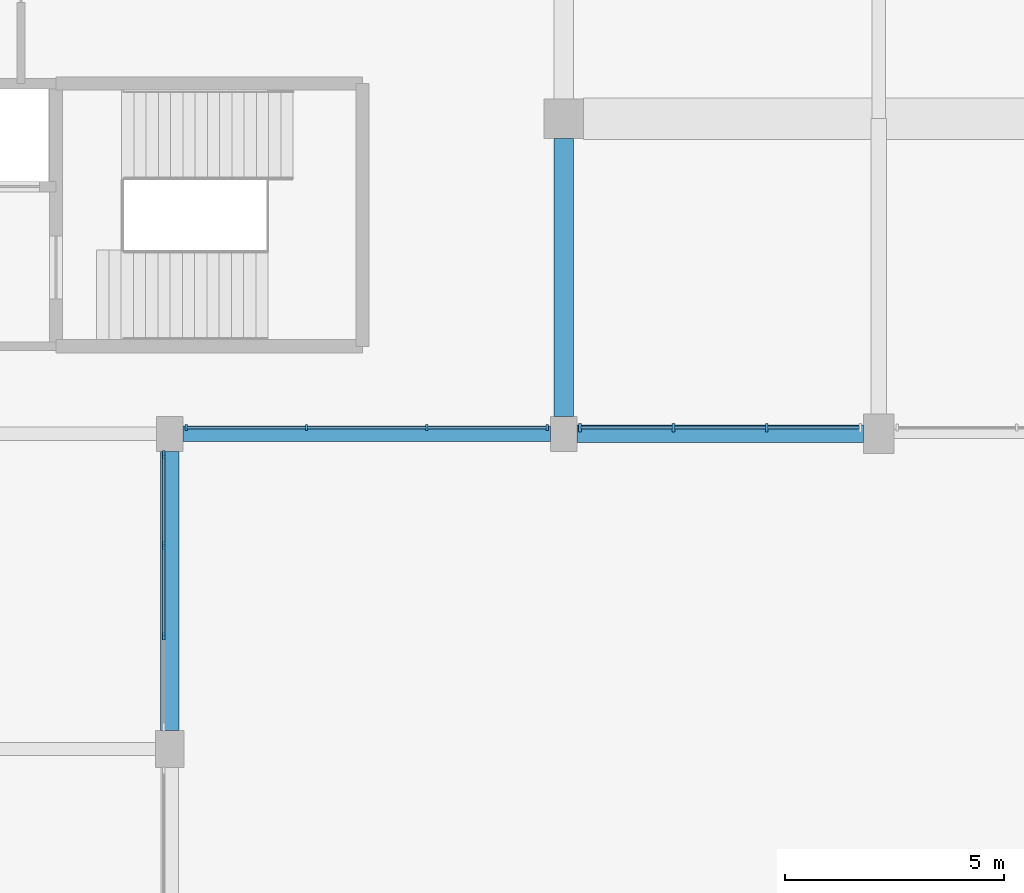
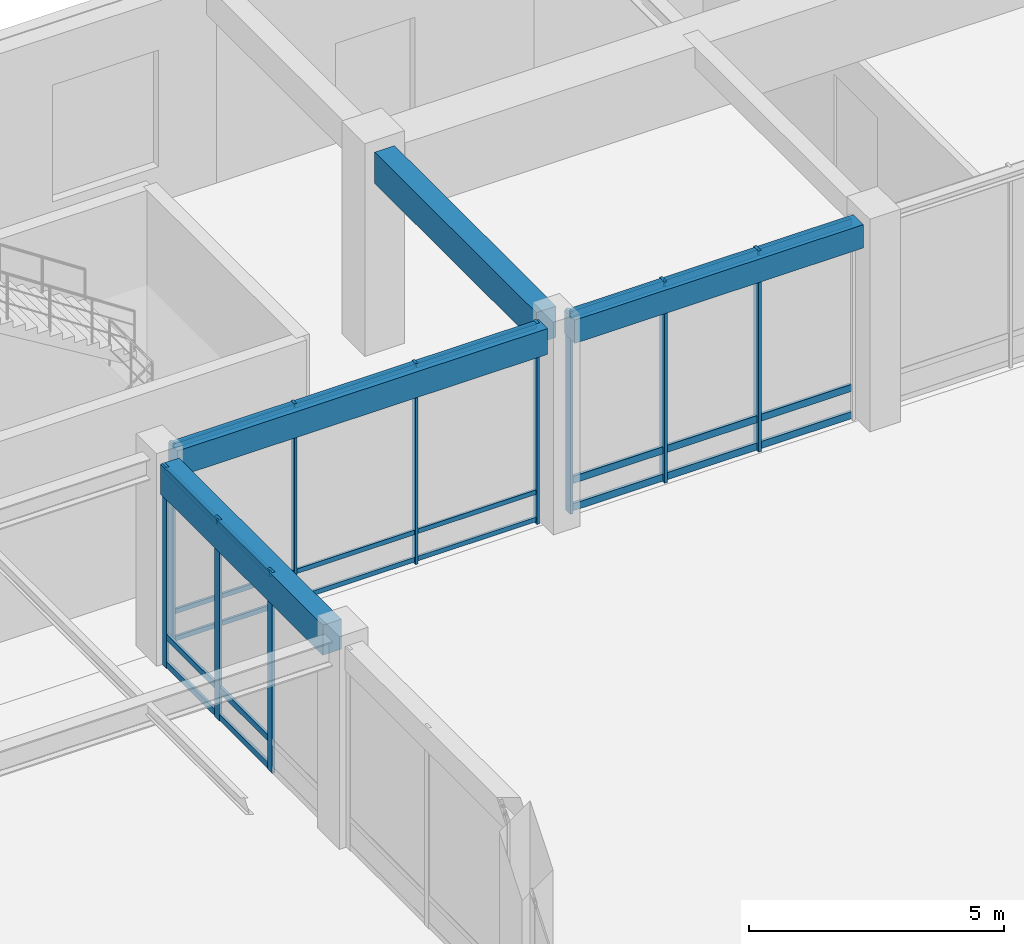
# One storey, part 25 of 64: 34 members, 4 beams, 3 elements without a shape of their own.
"""IFC4 building model written with IfcOpenShell, lengths in metres."""

from ifc_helpers import new_model, si_unit, direction, frame, origin, origin_2d, place, context, subcontext, project, spatial, rectangle, extrude, material, material_profile, profile_set, type_object, element, aggregate, save


model = new_model("IFC4")

# Units and contexts
model_context = context("Model", 3, precision=1e-05, world=origin(), true_north=direction((0.0, 1.0)))
body_context = subcontext(model_context, "Body", "Model", "MODEL_VIEW")
ifc_project = project(units=[si_unit("LENGTHUNIT", "METRE"), si_unit("AREAUNIT", "SQUARE_METRE"), si_unit("VOLUMEUNIT", "CUBIC_METRE"), si_unit("PLANEANGLEUNIT", "RADIAN"), si_unit("MASSUNIT", "GRAM", prefix="KILO")], contexts=[model_context])

# Site, building, storey
site_placement = place(None, origin())
site = spatial("IfcSite", under=ifc_project, at=site_placement, CompositionType="ELEMENT")
building_placement = place(site_placement, origin())
building = spatial("IfcBuilding", under=site, at=building_placement, Name="Clarverna Civic Hall", CompositionType="ELEMENT")
storey_placement = place(building_placement, origin())
storey = spatial("IfcBuildingStorey", under=building, at=storey_placement, Name="L00", CompositionType="ELEMENT", Elevation=0.0)

# Beams
ifc_material_1 = material(Name="Concrete C35/45", Category="concrete")
ifc_material_profile_1 = material_profile(ifc_material_1, rectangle(XDim=0.449951171875, YDim=0.75, at=origin_2d()), Name="RC 450x750")
ifc_profile_set_1 = profile_set([ifc_material_profile_1], Name="Concrete C35/45")
beam_type_1 = type_object("IfcBeamType", Name="B-RC3", PredefinedType="BEAM", material=ifc_profile_set_1)
beam_1_placement = place(storey_placement, frame((25.199951171875, 102.60009765625, 4.445068359375), z_axis=(0.0, 1.0, 0.0), x_axis=(-1.0, 0.0, 0.0)))
element("IfcBeam", 1, at=beam_1_placement, inside=storey, type_object=beam_type_1, Name="B-RC3-018", PredefinedType="BEAM", context=body_context, shape_type="SweptSolid", body=[
    extrude(rectangle(XDim=0.449951171875, YDim=0.75, at=origin_2d()), origin(), (0.0, 0.0, 1.0), 6.349853515625),
])
ifc_material_profile_2 = material_profile(ifc_material_1, rectangle(XDim=0.419921875, YDim=0.719970703125, at=origin_2d()), Name="RC 420x720")
ifc_profile_set_2 = profile_set([ifc_material_profile_2], Name="Concrete C35/45")
beam_type_2 = type_object("IfcBeamType", Name="B-SP1", PredefinedType="SPANDREL", material=ifc_profile_set_2)
beam_2_placement = place(storey_placement, frame((16.199951171875, 95.425048828125, 4.4599609375), z_axis=(0.0, 1.0, 0.0), x_axis=(-1.0, 0.0, 0.0)))
element("IfcBeam", 2, at=beam_2_placement, inside=storey, type_object=beam_type_2, Name="B-SP1-047", PredefinedType="SPANDREL", context=body_context, shape_type="SweptSolid", body=[
    extrude(rectangle(XDim=0.419921875, YDim=0.719970703125, at=origin_2d()), origin(), (0.0, 0.0, 1.0), 6.375),
])
ifc_material_profile_3 = material_profile(ifc_material_1, rectangle(XDim=0.360107421875, YDim=0.6201171875, at=origin_2d()), Name="RC 360x620")
ifc_profile_set_3 = profile_set([ifc_material_profile_3], Name="Concrete C35/45")
beam_type_3 = type_object("IfcBeamType", Name="B-SP3", PredefinedType="SPANDREL", material=ifc_profile_set_3)
beam_3_placement = place(storey_placement, frame((16.5, 102.199951171875, 4.510009765625), z_axis=(1.0, 0.0, 0.0), x_axis=(0.0, 1.0, 0.0)))
element("IfcBeam", 3, at=beam_3_placement, inside=storey, type_object=beam_type_3, Name="B-SP3-039", PredefinedType="SPANDREL", context=body_context, shape_type="SweptSolid", body=[
    extrude(rectangle(XDim=0.360107421875, YDim=0.6201171875, at=origin_2d()), origin(), (0.0, 0.0, 1.0), 8.39990234375),
])
ifc_material_profile_4 = material_profile(ifc_material_1, rectangle(XDim=0.39990234375, YDim=0.56005859375, at=origin_2d()), Name="RC 400x560")
ifc_profile_set_4 = profile_set([ifc_material_profile_4], Name="Concrete C35/45")
beam_type_4 = type_object("IfcBeamType", Name="B-SP4", PredefinedType="SPANDREL", material=ifc_profile_set_4)
beam_4_placement = place(storey_placement, frame((25.5, 102.199951171875, 4.5400390625), z_axis=(1.0, 0.0, 0.0), x_axis=(0.0, 1.0, 0.0)))
element("IfcBeam", 4, at=beam_4_placement, inside=storey, type_object=beam_type_4, Name="B-SP4-037", PredefinedType="SPANDREL", context=body_context, shape_type="SweptSolid", body=[
    extrude(rectangle(XDim=0.39990234375, YDim=0.56005859375, at=origin_2d()), origin(), (0.0, 0.0, 1.0), 6.550048828125),
])

# Curtain wall, members
ifc_material_2 = material(Name="Anodised Bronze Architectural Aluminium", Category="aluminium")
curtain_wall_type = type_object("IfcCurtainWallType", Name="CW-04", PredefinedType="USERDEFINED", material=ifc_material_2)
curtain_wall_1_placement = place(storey_placement, origin())
curtain_wall_1 = element("IfcCurtainWall", 5, at=curtain_wall_1_placement, inside=storey, type_object=curtain_wall_type, Name="CW-04-006", ObjectType="UNITISED CURTAIN WALL", PredefinedType="USERDEFINED")
ifc_material_profile_5 = material_profile(ifc_material_2, rectangle(XDim=0.06005859375, YDim=0.179931640625, at=origin_2d()), Name="BRONZE 60x180")
ifc_profile_set_5 = profile_set([ifc_material_profile_5], Name="Anodised Bronze Architectural Aluminium")
member_type_1 = type_object("IfcMemberType", Name="CWM-01", PredefinedType="MULLION", material=ifc_profile_set_5)
member_1_placement = place(storey_placement, frame((16.06005859375, 101.72705078125, 0.0), z_axis=(0.0, 0.0, 1.0), x_axis=(1.0, 0.0, 0.0)))
member_1 = element("IfcMember", 6, at=member_1_placement, type_object=member_type_1, Name="CWM-01-026", PredefinedType="MULLION", context=body_context, shape_type="SweptSolid", body=[
    extrude(rectangle(XDim=0.06005859375, YDim=0.179931640625, at=origin_2d()), origin(), (0.0, 0.0, 1.0), 4.820068359375),
])
member_2_placement = place(storey_placement, frame((16.06005859375, 99.650634765625, 0.0), z_axis=(0.0, 0.0, 1.0), x_axis=(1.0, 0.0, 0.0)))
member_2 = element("IfcMember", 7, at=member_2_placement, type_object=member_type_1, Name="CWM-01-027", PredefinedType="MULLION", context=body_context, shape_type="SweptSolid", body=[
    extrude(rectangle(XDim=0.06005859375, YDim=0.179931640625, at=origin_2d()), origin(), (0.0, 0.0, 1.0), 4.820068359375),
])
member_3_placement = place(storey_placement, frame((16.06005859375, 97.57421875, 0.0), z_axis=(0.0, 0.0, 1.0), x_axis=(1.0, 0.0, 0.0)))
member_3 = element("IfcMember", 8, at=member_3_placement, type_object=member_type_1, Name="CWM-01-028", PredefinedType="MULLION", context=body_context, shape_type="SweptSolid", body=[
    extrude(rectangle(XDim=0.06005859375, YDim=0.179931640625, at=origin_2d()), origin(), (0.0, 0.0, 1.0), 4.820068359375),
])

curtain_wall_2_placement = place(storey_placement, origin())
curtain_wall_2 = element("IfcCurtainWall", 9, at=curtain_wall_2_placement, inside=storey, type_object=curtain_wall_type, Name="CW-04-004", ObjectType="UNITISED CURTAIN WALL", PredefinedType="USERDEFINED")
ifc_material_profile_6 = material_profile(ifc_material_2, rectangle(XDim=0.06494140625, YDim=0.199951171875, at=origin_2d()), Name="BRONZE 65x200")
ifc_profile_set_6 = profile_set([ifc_material_profile_6], Name="Anodised Bronze Architectural Aluminium")
member_type_2 = type_object("IfcMemberType", Name="CWM-03", PredefinedType="MULLION", material=ifc_profile_set_6)
member_4_placement = place(storey_placement, frame((29.84228515625, 102.340087890625, 0.0), z_axis=(0.0, 0.0, 1.0), x_axis=(1.0, 0.0, 0.0)))
member_4 = element("IfcMember", 10, at=member_4_placement, type_object=member_type_2, Name="CWM-03-023", PredefinedType="MULLION", context=body_context, shape_type="SweptSolid", body=[
    extrude(rectangle(XDim=0.06494140625, YDim=0.199951171875, at=origin_2d()), origin(), (0.0, 0.0, 1.0), 4.820068359375),
])
member_5_placement = place(storey_placement, frame((27.707763671875, 102.340087890625, 0.0), z_axis=(0.0, 0.0, 1.0), x_axis=(1.0, 0.0, 0.0)))
member_5 = element("IfcMember", 11, at=member_5_placement, type_object=member_type_2, Name="CWM-03-024", PredefinedType="MULLION", context=body_context, shape_type="SweptSolid", body=[
    extrude(rectangle(XDim=0.06494140625, YDim=0.199951171875, at=origin_2d()), origin(), (0.0, 0.0, 1.0), 4.820068359375),
])
member_6_placement = place(storey_placement, frame((25.572998046875, 102.340087890625, 0.0), z_axis=(0.0, 0.0, 1.0), x_axis=(1.0, 0.0, 0.0)))
member_6 = element("IfcMember", 12, at=member_6_placement, type_object=member_type_2, Name="CWM-03-025", PredefinedType="MULLION", context=body_context, shape_type="SweptSolid", body=[
    extrude(rectangle(XDim=0.06494140625, YDim=0.199951171875, at=origin_2d()), origin(), (0.0, 0.0, 1.0), 4.820068359375),
])

curtain_wall_3_placement = place(storey_placement, origin())
curtain_wall_3 = element("IfcCurtainWall", 13, at=curtain_wall_3_placement, inside=storey, type_object=curtain_wall_type, Name="CW-04-005", ObjectType="UNITISED CURTAIN WALL", PredefinedType="USERDEFINED")
ifc_material_profile_7 = material_profile(ifc_material_2, rectangle(XDim=0.054931640625, YDim=0.139892578125, at=origin_2d()), Name="BRONZE 55x140")
ifc_profile_set_7 = profile_set([ifc_material_profile_7], Name="Anodised Bronze Architectural Aluminium")
member_type_3 = type_object("IfcMemberType", Name="CWM-04", PredefinedType="MULLION", material=ifc_profile_set_7)
member_7_placement = place(storey_placement, frame((24.826904296875, 102.340087890625, 0.0), z_axis=(0.0, 0.0, 1.0), x_axis=(1.0, 0.0, 0.0)))
member_7 = element("IfcMember", 14, at=member_7_placement, type_object=member_type_3, Name="CWM-04-023", PredefinedType="MULLION", context=body_context, shape_type="SweptSolid", body=[
    extrude(rectangle(XDim=0.054931640625, YDim=0.139892578125, at=origin_2d()), origin(), (0.0, 0.0, 1.0), 4.820068359375),
])
member_8_placement = place(storey_placement, frame((22.07568359375, 102.340087890625, 0.0), z_axis=(0.0, 0.0, 1.0), x_axis=(1.0, 0.0, 0.0)))
member_8 = element("IfcMember", 15, at=member_8_placement, type_object=member_type_3, Name="CWM-04-024", PredefinedType="MULLION", context=body_context, shape_type="SweptSolid", body=[
    extrude(rectangle(XDim=0.054931640625, YDim=0.139892578125, at=origin_2d()), origin(), (0.0, 0.0, 1.0), 4.820068359375),
])
member_9_placement = place(storey_placement, frame((19.32421875, 102.340087890625, 0.0), z_axis=(0.0, 0.0, 1.0), x_axis=(1.0, 0.0, 0.0)))
member_9 = element("IfcMember", 16, at=member_9_placement, type_object=member_type_3, Name="CWM-04-025", PredefinedType="MULLION", context=body_context, shape_type="SweptSolid", body=[
    extrude(rectangle(XDim=0.054931640625, YDim=0.139892578125, at=origin_2d()), origin(), (0.0, 0.0, 1.0), 4.820068359375),
])
member_10_placement = place(storey_placement, frame((16.572998046875, 102.340087890625, 0.0), z_axis=(0.0, 0.0, 1.0), x_axis=(1.0, 0.0, 0.0)))
member_10 = element("IfcMember", 17, at=member_10_placement, type_object=member_type_3, Name="CWM-04-026", PredefinedType="MULLION", context=body_context, shape_type="SweptSolid", body=[
    extrude(rectangle(XDim=0.054931640625, YDim=0.139892578125, at=origin_2d()), origin(), (0.0, 0.0, 1.0), 4.820068359375),
])

# Member
ifc_material_profile_8 = material_profile(ifc_material_2, rectangle(XDim=0.06005859375, YDim=0.14990234375, at=origin_2d()), Name="BRONZE 60x150")
ifc_profile_set_8 = profile_set([ifc_material_profile_8], Name="Anodised Bronze Architectural Aluminium")
member_type_4 = type_object("IfcMemberType", Name="CWT-01", PredefinedType="USERDEFINED", material=ifc_profile_set_8)
member_11_placement = place(storey_placement, frame((16.06005859375, 101.7119140625, 0.094970703125), z_axis=(0.0, -1.0, 0.0), x_axis=(1.0, 0.0, 0.0)))
member_11 = element("IfcMember", 18, at=member_11_placement, type_object=member_type_4, Name="CWT-01-052", ObjectType="TRANSOM", PredefinedType="USERDEFINED", context=body_context, shape_type="SweptSolid", body=[
    extrude(rectangle(XDim=0.06005859375, YDim=0.14990234375, at=origin_2d()), origin(), (0.0, 0.0, 1.0), 2.046142578125),
])

member_12_placement = place(storey_placement, frame((16.06005859375, 101.7119140625, 0.75), z_axis=(0.0, -1.0, 0.0), x_axis=(1.0, 0.0, 0.0)))
member_12 = element("IfcMember", 19, at=member_12_placement, type_object=member_type_4, Name="CWT-01-053", ObjectType="TRANSOM", PredefinedType="USERDEFINED", context=body_context, shape_type="SweptSolid", body=[
    extrude(rectangle(XDim=0.06005859375, YDim=0.14990234375, at=origin_2d()), origin(), (0.0, 0.0, 1.0), 2.046142578125),
])

member_13_placement = place(storey_placement, frame((16.06005859375, 101.7119140625, 4.72509765625), z_axis=(0.0, -1.0, 0.0), x_axis=(1.0, 0.0, 0.0)))
member_13 = element("IfcMember", 20, at=member_13_placement, type_object=member_type_4, Name="CWT-01-054", ObjectType="TRANSOM", PredefinedType="USERDEFINED", context=body_context, shape_type="SweptSolid", body=[
    extrude(rectangle(XDim=0.06005859375, YDim=0.14990234375, at=origin_2d()), origin(), (0.0, 0.0, 1.0), 2.046142578125),
])

member_14_placement = place(storey_placement, frame((16.06005859375, 99.6357421875, 0.094970703125), z_axis=(0.0, -1.0, 0.0), x_axis=(1.0, 0.0, 0.0)))
member_14 = element("IfcMember", 21, at=member_14_placement, type_object=member_type_4, Name="CWT-01-055", ObjectType="TRANSOM", PredefinedType="USERDEFINED", context=body_context, shape_type="SweptSolid", body=[
    extrude(rectangle(XDim=0.06005859375, YDim=0.14990234375, at=origin_2d()), origin(), (0.0, 0.0, 1.0), 2.04638671875),
])

member_15_placement = place(storey_placement, frame((16.06005859375, 99.6357421875, 0.75), z_axis=(0.0, -1.0, 0.0), x_axis=(1.0, 0.0, 0.0)))
member_15 = element("IfcMember", 22, at=member_15_placement, type_object=member_type_4, Name="CWT-01-056", ObjectType="TRANSOM", PredefinedType="USERDEFINED", context=body_context, shape_type="SweptSolid", body=[
    extrude(rectangle(XDim=0.06005859375, YDim=0.14990234375, at=origin_2d()), origin(), (0.0, 0.0, 1.0), 2.04638671875),
])

member_16_placement = place(storey_placement, frame((16.06005859375, 99.6357421875, 4.72509765625), z_axis=(0.0, -1.0, 0.0), x_axis=(1.0, 0.0, 0.0)))
member_16 = element("IfcMember", 23, at=member_16_placement, type_object=member_type_4, Name="CWT-01-057", ObjectType="TRANSOM", PredefinedType="USERDEFINED", context=body_context, shape_type="SweptSolid", body=[
    extrude(rectangle(XDim=0.06005859375, YDim=0.14990234375, at=origin_2d()), origin(), (0.0, 0.0, 1.0), 2.04638671875),
])

aggregate(curtain_wall_1, [member_1, member_2, member_3, member_11, member_12, member_13, member_14, member_15, member_16])

ifc_material_profile_9 = material_profile(ifc_material_2, rectangle(XDim=0.06494140625, YDim=0.169921875, at=origin_2d()), Name="BRONZE 65x170")
ifc_profile_set_9 = profile_set([ifc_material_profile_9], Name="Anodised Bronze Architectural Aluminium")
member_type_5 = type_object("IfcMemberType", Name="CWT-03", PredefinedType="USERDEFINED", material=ifc_profile_set_9)
member_17_placement = place(storey_placement, frame((31.9619140625, 102.340087890625, 0.094970703125), z_axis=(-1.0, 0.0, 0.0), x_axis=(0.0, -1.0, 0.0)))
member_17 = element("IfcMember", 24, at=member_17_placement, type_object=member_type_5, Name="CWT-03-043", ObjectType="TRANSOM", PredefinedType="USERDEFINED", context=body_context, shape_type="SweptSolid", body=[
    extrude(rectangle(XDim=0.06494140625, YDim=0.169921875, at=origin_2d()), origin(), (0.0, 0.0, 1.0), 2.1044921875),
])

member_18_placement = place(storey_placement, frame((31.9619140625, 102.340087890625, 0.75), z_axis=(-1.0, 0.0, 0.0), x_axis=(0.0, -1.0, 0.0)))
member_18 = element("IfcMember", 25, at=member_18_placement, type_object=member_type_5, Name="CWT-03-044", ObjectType="TRANSOM", PredefinedType="USERDEFINED", context=body_context, shape_type="SweptSolid", body=[
    extrude(rectangle(XDim=0.06494140625, YDim=0.169921875, at=origin_2d()), origin(), (0.0, 0.0, 1.0), 2.1044921875),
])

member_19_placement = place(storey_placement, frame((31.9619140625, 102.340087890625, 4.72509765625), z_axis=(-1.0, 0.0, 0.0), x_axis=(0.0, -1.0, 0.0)))
member_19 = element("IfcMember", 26, at=member_19_placement, type_object=member_type_5, Name="CWT-03-045", ObjectType="TRANSOM", PredefinedType="USERDEFINED", context=body_context, shape_type="SweptSolid", body=[
    extrude(rectangle(XDim=0.06494140625, YDim=0.169921875, at=origin_2d()), origin(), (0.0, 0.0, 1.0), 2.1044921875),
])

member_20_placement = place(storey_placement, frame((29.827392578125, 102.340087890625, 0.094970703125), z_axis=(-1.0, 0.0, 0.0), x_axis=(0.0, -1.0, 0.0)))
member_20 = element("IfcMember", 27, at=member_20_placement, type_object=member_type_5, Name="CWT-03-046", ObjectType="TRANSOM", PredefinedType="USERDEFINED", context=body_context, shape_type="SweptSolid", body=[
    extrude(rectangle(XDim=0.06494140625, YDim=0.169921875, at=origin_2d()), origin(), (0.0, 0.0, 1.0), 2.104736328125),
])

member_21_placement = place(storey_placement, frame((29.827392578125, 102.340087890625, 0.75), z_axis=(-1.0, 0.0, 0.0), x_axis=(0.0, -1.0, 0.0)))
member_21 = element("IfcMember", 28, at=member_21_placement, type_object=member_type_5, Name="CWT-03-047", ObjectType="TRANSOM", PredefinedType="USERDEFINED", context=body_context, shape_type="SweptSolid", body=[
    extrude(rectangle(XDim=0.06494140625, YDim=0.169921875, at=origin_2d()), origin(), (0.0, 0.0, 1.0), 2.104736328125),
])

member_22_placement = place(storey_placement, frame((29.827392578125, 102.340087890625, 4.72509765625), z_axis=(-1.0, 0.0, 0.0), x_axis=(0.0, -1.0, 0.0)))
member_22 = element("IfcMember", 29, at=member_22_placement, type_object=member_type_5, Name="CWT-03-048", ObjectType="TRANSOM", PredefinedType="USERDEFINED", context=body_context, shape_type="SweptSolid", body=[
    extrude(rectangle(XDim=0.06494140625, YDim=0.169921875, at=origin_2d()), origin(), (0.0, 0.0, 1.0), 2.104736328125),
])

member_23_placement = place(storey_placement, frame((27.692626953125, 102.340087890625, 0.094970703125), z_axis=(-1.0, 0.0, 0.0), x_axis=(0.0, -1.0, 0.0)))
member_23 = element("IfcMember", 30, at=member_23_placement, type_object=member_type_5, Name="CWT-03-049", ObjectType="TRANSOM", PredefinedType="USERDEFINED", context=body_context, shape_type="SweptSolid", body=[
    extrude(rectangle(XDim=0.06494140625, YDim=0.169921875, at=origin_2d()), origin(), (0.0, 0.0, 1.0), 2.104736328125),
])

member_24_placement = place(storey_placement, frame((27.692626953125, 102.340087890625, 0.75), z_axis=(-1.0, 0.0, 0.0), x_axis=(0.0, -1.0, 0.0)))
member_24 = element("IfcMember", 31, at=member_24_placement, type_object=member_type_5, Name="CWT-03-050", ObjectType="TRANSOM", PredefinedType="USERDEFINED", context=body_context, shape_type="SweptSolid", body=[
    extrude(rectangle(XDim=0.06494140625, YDim=0.169921875, at=origin_2d()), origin(), (0.0, 0.0, 1.0), 2.104736328125),
])

member_25_placement = place(storey_placement, frame((27.692626953125, 102.340087890625, 4.72509765625), z_axis=(-1.0, 0.0, 0.0), x_axis=(0.0, -1.0, 0.0)))
member_25 = element("IfcMember", 32, at=member_25_placement, type_object=member_type_5, Name="CWT-03-051", ObjectType="TRANSOM", PredefinedType="USERDEFINED", context=body_context, shape_type="SweptSolid", body=[
    extrude(rectangle(XDim=0.06494140625, YDim=0.169921875, at=origin_2d()), origin(), (0.0, 0.0, 1.0), 2.104736328125),
])

aggregate(curtain_wall_2, [member_4, member_5, member_6, member_17, member_18, member_19, member_20, member_21, member_22, member_23, member_24, member_25])

ifc_material_profile_10 = material_profile(ifc_material_2, rectangle(XDim=0.054931640625, YDim=0.110107421875, at=origin_2d()), Name="BRONZE 55x110")
ifc_profile_set_10 = profile_set([ifc_material_profile_10], Name="Anodised Bronze Architectural Aluminium")
member_type_6 = type_object("IfcMemberType", Name="CWT-04", PredefinedType="USERDEFINED", material=ifc_profile_set_10)
member_26_placement = place(storey_placement, frame((24.81201171875, 102.340087890625, 0.094970703125), z_axis=(-1.0, 0.0, 0.0), x_axis=(0.0, -1.0, 0.0)))
member_26 = element("IfcMember", 33, at=member_26_placement, type_object=member_type_6, Name="CWT-04-046", ObjectType="TRANSOM", PredefinedType="USERDEFINED", context=body_context, shape_type="SweptSolid", body=[
    extrude(rectangle(XDim=0.054931640625, YDim=0.110107421875, at=origin_2d()), origin(), (0.0, 0.0, 1.0), 2.72119140625),
])

member_27_placement = place(storey_placement, frame((24.81201171875, 102.340087890625, 0.75), z_axis=(-1.0, 0.0, 0.0), x_axis=(0.0, -1.0, 0.0)))
member_27 = element("IfcMember", 34, at=member_27_placement, type_object=member_type_6, Name="CWT-04-047", ObjectType="TRANSOM", PredefinedType="USERDEFINED", context=body_context, shape_type="SweptSolid", body=[
    extrude(rectangle(XDim=0.054931640625, YDim=0.110107421875, at=origin_2d()), origin(), (0.0, 0.0, 1.0), 2.72119140625),
])

member_28_placement = place(storey_placement, frame((24.81201171875, 102.340087890625, 4.72509765625), z_axis=(-1.0, 0.0, 0.0), x_axis=(0.0, -1.0, 0.0)))
member_28 = element("IfcMember", 35, at=member_28_placement, type_object=member_type_6, Name="CWT-04-048", ObjectType="TRANSOM", PredefinedType="USERDEFINED", context=body_context, shape_type="SweptSolid", body=[
    extrude(rectangle(XDim=0.054931640625, YDim=0.110107421875, at=origin_2d()), origin(), (0.0, 0.0, 1.0), 2.72119140625),
])

member_29_placement = place(storey_placement, frame((22.060791015625, 102.340087890625, 0.094970703125), z_axis=(-1.0, 0.0, 0.0), x_axis=(0.0, -1.0, 0.0)))
member_29 = element("IfcMember", 36, at=member_29_placement, type_object=member_type_6, Name="CWT-04-049", ObjectType="TRANSOM", PredefinedType="USERDEFINED", context=body_context, shape_type="SweptSolid", body=[
    extrude(rectangle(XDim=0.054931640625, YDim=0.110107421875, at=origin_2d()), origin(), (0.0, 0.0, 1.0), 2.721435546875),
])

member_30_placement = place(storey_placement, frame((22.060791015625, 102.340087890625, 0.75), z_axis=(-1.0, 0.0, 0.0), x_axis=(0.0, -1.0, 0.0)))
member_30 = element("IfcMember", 37, at=member_30_placement, type_object=member_type_6, Name="CWT-04-050", ObjectType="TRANSOM", PredefinedType="USERDEFINED", context=body_context, shape_type="SweptSolid", body=[
    extrude(rectangle(XDim=0.054931640625, YDim=0.110107421875, at=origin_2d()), origin(), (0.0, 0.0, 1.0), 2.721435546875),
])

member_31_placement = place(storey_placement, frame((22.060791015625, 102.340087890625, 4.72509765625), z_axis=(-1.0, 0.0, 0.0), x_axis=(0.0, -1.0, 0.0)))
member_31 = element("IfcMember", 38, at=member_31_placement, type_object=member_type_6, Name="CWT-04-051", ObjectType="TRANSOM", PredefinedType="USERDEFINED", context=body_context, shape_type="SweptSolid", body=[
    extrude(rectangle(XDim=0.054931640625, YDim=0.110107421875, at=origin_2d()), origin(), (0.0, 0.0, 1.0), 2.721435546875),
])

member_32_placement = place(storey_placement, frame((19.309326171875, 102.340087890625, 0.094970703125), z_axis=(-1.0, 0.0, 0.0), x_axis=(0.0, -1.0, 0.0)))
member_32 = element("IfcMember", 39, at=member_32_placement, type_object=member_type_6, Name="CWT-04-052", ObjectType="TRANSOM", PredefinedType="USERDEFINED", context=body_context, shape_type="SweptSolid", body=[
    extrude(rectangle(XDim=0.054931640625, YDim=0.110107421875, at=origin_2d()), origin(), (0.0, 0.0, 1.0), 2.721435546875),
])

member_33_placement = place(storey_placement, frame((19.309326171875, 102.340087890625, 0.75), z_axis=(-1.0, 0.0, 0.0), x_axis=(0.0, -1.0, 0.0)))
member_33 = element("IfcMember", 40, at=member_33_placement, type_object=member_type_6, Name="CWT-04-053", ObjectType="TRANSOM", PredefinedType="USERDEFINED", context=body_context, shape_type="SweptSolid", body=[
    extrude(rectangle(XDim=0.054931640625, YDim=0.110107421875, at=origin_2d()), origin(), (0.0, 0.0, 1.0), 2.721435546875),
])

member_34_placement = place(storey_placement, frame((19.309326171875, 102.340087890625, 4.72509765625), z_axis=(-1.0, 0.0, 0.0), x_axis=(0.0, -1.0, 0.0)))
member_34 = element("IfcMember", 41, at=member_34_placement, type_object=member_type_6, Name="CWT-04-054", ObjectType="TRANSOM", PredefinedType="USERDEFINED", context=body_context, shape_type="SweptSolid", body=[
    extrude(rectangle(XDim=0.054931640625, YDim=0.110107421875, at=origin_2d()), origin(), (0.0, 0.0, 1.0), 2.721435546875),
])

aggregate(curtain_wall_3, [member_7, member_8, member_9, member_10, member_26, member_27, member_28, member_29, member_30, member_31, member_32, member_33, member_34])

save(model, "model.ifc")
